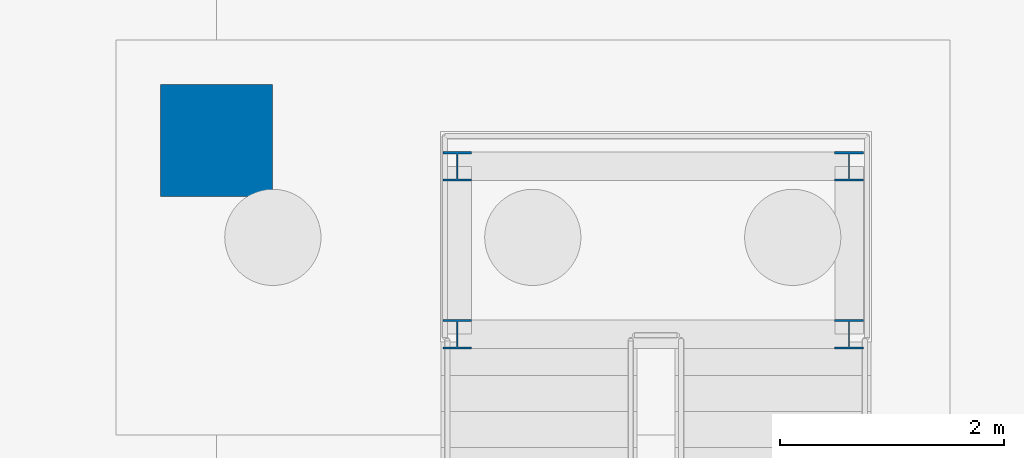
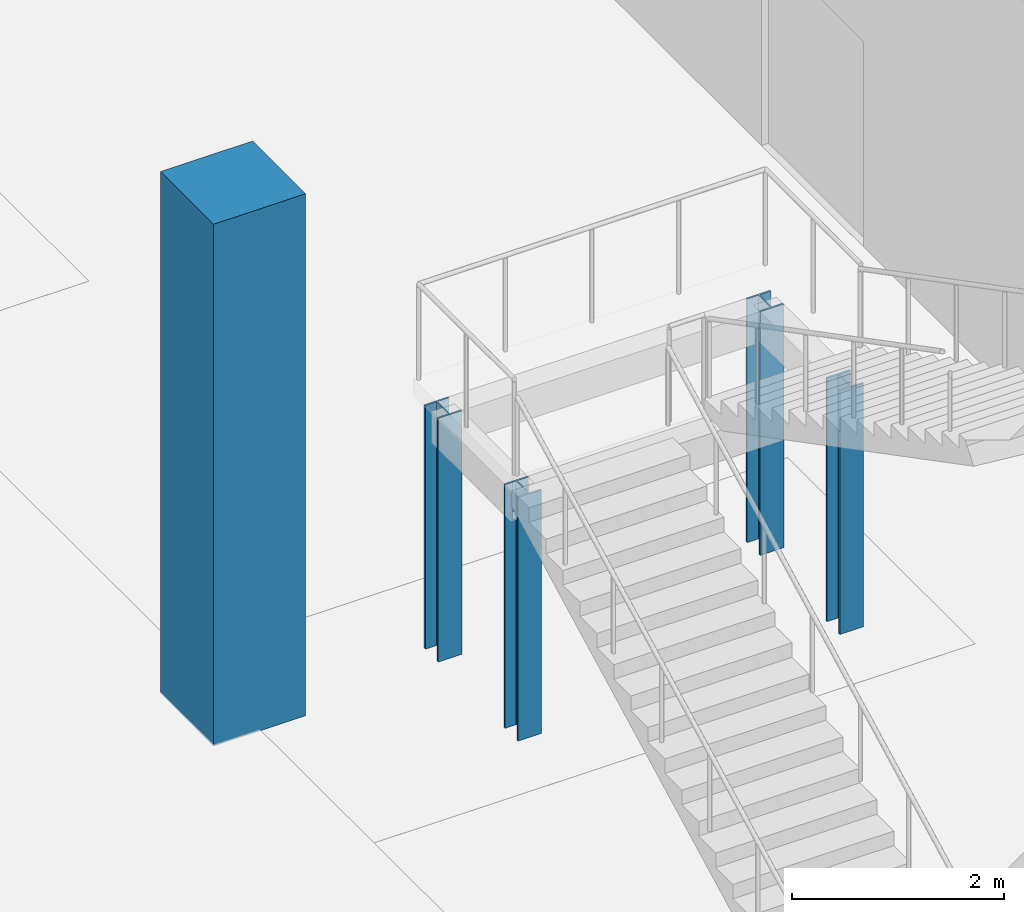
# One storey, part 26 of 131: 5 columns.
"""IFC4 building model written with IfcOpenShell, lengths in metres."""

from ifc_helpers import new_model, si_unit, direction, frame, origin, origin_2d, place, context, subcontext, project, spatial, rectangle, i_section, extrude, material, material_profile, profile_set, type_object, element, save


model = new_model("IFC4")

# Units and contexts
model_context = context("Model", 3, precision=1e-05, world=origin(), true_north=direction((0.0, 1.0)))
body_context = subcontext(model_context, "Body", "Model", "MODEL_VIEW")
ifc_project = project(units=[si_unit("LENGTHUNIT", "METRE"), si_unit("AREAUNIT", "SQUARE_METRE"), si_unit("VOLUMEUNIT", "CUBIC_METRE"), si_unit("PLANEANGLEUNIT", "RADIAN"), si_unit("MASSUNIT", "GRAM", prefix="KILO")], contexts=[model_context])

# Site, building, storey
site_placement = place(None, origin())
site = spatial("IfcSite", under=ifc_project, at=site_placement, CompositionType="ELEMENT")
building_placement = place(site_placement, origin())
building = spatial("IfcBuilding", under=site, at=building_placement, Name="Cazmaro Siding Exhibition Halls", CompositionType="ELEMENT")
storey_placement = place(building_placement, origin())
storey = spatial("IfcBuildingStorey", under=building, at=storey_placement, Name="L00", CompositionType="ELEMENT", Elevation=0.0)

# Columns
ifc_material_1 = material(Name="Concrete f'c 45 MPa", Category="concrete")
ifc_material_profile_1 = material_profile(ifc_material_1, rectangle(XDim=1.0, YDim=1.0, at=origin_2d()), Name="RC1000X1000")
ifc_profile_set_1 = profile_set([ifc_material_profile_1], Name="Concrete f'c 45 MPa")
column_type_1 = type_object("IfcColumnType", Name="C-07", PredefinedType="COLUMN", material=ifc_profile_set_1)
column_placement = place(storey_placement, frame((180.0, 27.0, 0.0), z_axis=(0.0, 0.0, 1.0), x_axis=(1.0, 0.0, 0.0)))
element("IfcColumn", 1, at=column_placement, inside=storey, type_object=column_type_1, Name="Column C-07 COL-0533", PredefinedType="COLUMN", context=body_context, shape_type="SweptSolid", body=[
    extrude(rectangle(XDim=1.0, YDim=1.0, at=origin_2d()), origin(), (0.0, 0.0, 1.0), 6.0),
])
ifc_material_2 = material(Name="Steel ASTM A992 Grade 50", Category="steel")
ifc_material_profile_2 = material_profile(ifc_material_2, i_section(OverallWidth=0.257080078125, OverallDepth=0.263916015625, WebThickness=0.011962890625, FlangeThickness=0.02001953125, at=origin_2d()), Name="W10X68")
ifc_profile_set_2 = profile_set([ifc_material_profile_2], Name="Steel ASTM A992 Grade 50")
column_type_2 = type_object("IfcColumnType", Name="C-14", PredefinedType="COLUMN", material=ifc_profile_set_2)
for number, where, z_axis, x_axis, name in (
    (2, (182.14990234375, 25.27001953125, 0.0), (0.0, 0.0, 1.0), (1.0, 0.0, 0.0), "Column C-14 COL-1193"),
    (3, (182.14990234375, 26.77001953125, 0.0), (0.0, 0.0, 1.0), (1.0, 0.0, 0.0), "Column C-14 COL-1194"),
    (4, (185.64990234375, 25.27001953125, 0.0), (0.0, 0.0, 1.0), (1.0, 0.0, 0.0), "Column C-14 COL-1195"),
    (5, (185.64990234375, 26.77001953125, 0.0), (0.0, 0.0, 1.0), (1.0, 0.0, 0.0), "Column C-14 COL-1196"),
):
    element("IfcColumn", number, at=place(storey_placement, frame(where, z_axis=z_axis, x_axis=x_axis)), inside=storey, type_object=column_type_2, Name=name, PredefinedType="COLUMN", context=body_context, shape_type="SweptSolid", body=[
        extrude(i_section(OverallWidth=0.257080078125, OverallDepth=0.263916015625, WebThickness=0.011962890625, FlangeThickness=0.02001953125, at=origin_2d()), origin(), (0.0, 0.0, 1.0), 2.800048828125),
    ])

save(model, "model.ifc")
